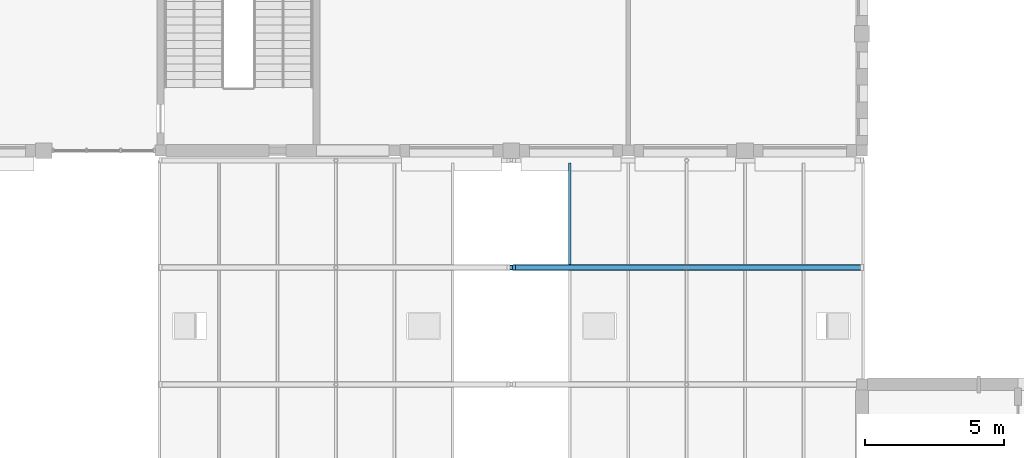
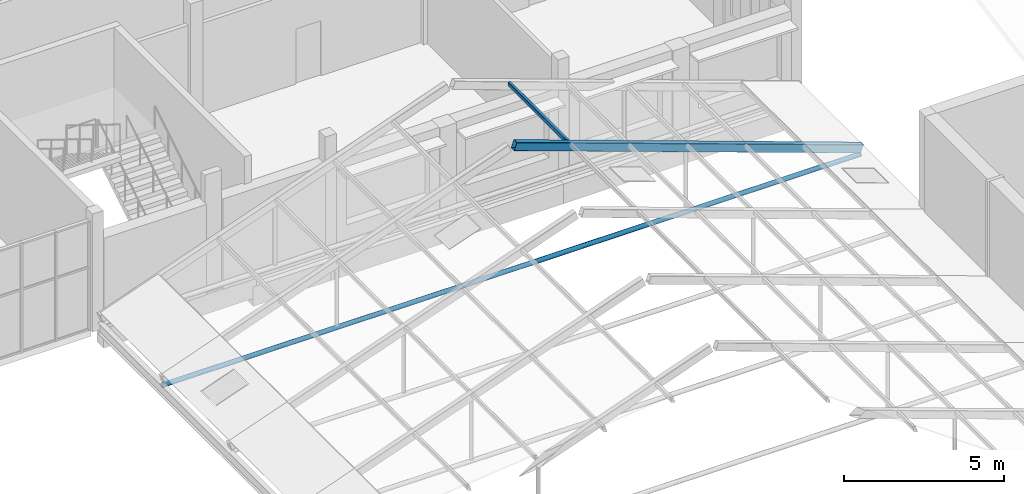
# One storey, part 71 of 116: 3 members.
"""IFC4 building model written with IfcOpenShell, lengths in metres."""

import ifcopenshell
import ifcopenshell.guid

model = None  # the IFC model being written
_history = None  # IfcOwnerHistory: only IFC2X3 demands one
_inside = {}  # id of a spatial element -> (the spatial element, [elements in it])
_under = {}  # id of a project, library or spatial element -> (it, [spatial elements below it])
_declared = {}  # id of a project -> (the project, [libraries it declares])
_typed = {}  # id of a type object -> (the type object, [elements of that type])
_made_of = {}  # id of a material, layer set ... -> (it, [elements and type objects made of it])


def new_model(schema):
    """Start an empty IFC model of exactly this schema.

    Asked for "IFC4X3", IfcOpenShell would pick the latest addendum, in which some entities
    have other attributes; the version numbers below select the first issue.
    IFC2X3 requires an IfcOwnerHistory on every rooted entity: one is made here for all.
    """
    global model, _history
    if schema == "IFC4X3":
        model = ifcopenshell.file(schema_version=(4, 3, 0, 0))
    else:
        model = ifcopenshell.file(schema=schema)
    _inside.clear()
    _under.clear()
    _declared.clear()
    _typed.clear()
    _made_of.clear()
    _history = None
    if model.schema == "IFC2X3":
        org = make("IfcOrganization", Name="unknown")
        user = make(
            "IfcPersonAndOrganization",
            ThePerson=make("IfcPerson", FamilyName="unknown"),
            TheOrganization=org,
        )
        app = make(
            "IfcApplication",
            ApplicationDeveloper=org,
            Version="unknown",
            ApplicationFullName="unknown",
            ApplicationIdentifier="unknown",
        )
        _history = make(
            "IfcOwnerHistory",
            OwningUser=user,
            OwningApplication=app,
            ChangeAction="ADDED",
            CreationDate=0,
        )
    return model


def make(cls, **values):
    """One entity of the class cls with the attributes given. An attribute that is None is left unset."""
    return model.create_entity(
        cls, **{name: value for name, value in values.items() if value is not None}
    )


def rooted(cls, **values):
    """An entity with a GlobalId (a new one), such as an element, a storey or a relation."""
    return make(cls, GlobalId=ifcopenshell.guid.new(), OwnerHistory=_history, **values)


def si_unit(unit_type, name, prefix=None):
    """IfcSIUnit, for example si_unit("LENGTHUNIT", "METRE", prefix="MILLI")."""
    return make("IfcSIUnit", UnitType=unit_type, Prefix=prefix, Name=name)


def assignment(units):
    """IfcUnitAssignment: the units of a project."""
    return None if units is None else make("IfcUnitAssignment", Units=units)


def point(xyz):
    """IfcCartesianPoint."""
    return None if xyz is None else make("IfcCartesianPoint", Coordinates=xyz)


def direction(xyz):
    """IfcDirection."""
    return None if xyz is None else make("IfcDirection", DirectionRatios=xyz)


def frame(location, z_axis=None, x_axis=None):
    """IfcAxis2Placement3D, a coordinate frame: its origin and axes. An axis left out is left unset."""
    return make(
        "IfcAxis2Placement3D",
        Location=point(location),
        Axis=direction(z_axis),
        RefDirection=direction(x_axis),
    )


def frame_2d(location, x_axis=None):
    """IfcAxis2Placement2D, a coordinate frame in the plane: its origin and x axis."""
    return make(
        "IfcAxis2Placement2D", Location=point(location), RefDirection=direction(x_axis)
    )


def origin():
    """The frame at (0, 0, 0) with its axes left unset."""
    return frame((0.0, 0.0, 0.0))


def origin_2d():
    """The frame at (0, 0) in the plane with its x axis left unset."""
    return frame_2d((0.0, 0.0))


def place(relative_to, where):
    """IfcLocalPlacement: puts the frame where relative to a parent placement (None: the world)."""
    return make(
        "IfcLocalPlacement", PlacementRelTo=relative_to, RelativePlacement=where
    )


def context(
    kind, dimensions, precision=None, world=None, true_north=None, identifier=None
):
    """IfcGeometricRepresentationContext, for example the 3D "Model" context."""
    return make(
        "IfcGeometricRepresentationContext",
        ContextIdentifier=identifier,
        ContextType=kind,
        CoordinateSpaceDimension=dimensions,
        Precision=precision,
        WorldCoordinateSystem=world,
        TrueNorth=true_north,
    )


def subcontext(parent, identifier, kind, view, scale=None):
    """IfcGeometricRepresentationSubContext, for example "Body" below "Model"."""
    return make(
        "IfcGeometricRepresentationSubContext",
        ContextIdentifier=identifier,
        ContextType=kind,
        ParentContext=parent,
        TargetScale=scale,
        TargetView=view,
    )


def project(units=None, contexts=None):
    """IfcProject with its units and contexts."""
    return rooted(
        "IfcProject",
        Name="project",
        RepresentationContexts=contexts,
        UnitsInContext=assignment(units),
    )


def spatial(cls, under=None, at=None, **own):
    """A site, building, storey or space (cls), placed at a placement, below another one or the project."""
    s = rooted(cls, ObjectPlacement=at, **own)
    if under is not None:
        _under.setdefault(under.id(), (under, []))[1].append(s)
    return s


def profile(cls, at=None, kind="AREA", **sizes):
    """A parametric profile (cls). Its sizes go by their IFC names, for example OverallWidth=200.0."""
    return make(cls, ProfileType=kind, Position=at, **sizes)


def hollow_rectangle(**sizes):
    """IfcRectangleHollowProfileDef."""
    return profile("IfcRectangleHollowProfileDef", **sizes)


def hollow_circle(**sizes):
    """IfcCircleHollowProfileDef."""
    return profile("IfcCircleHollowProfileDef", **sizes)


def extrude(swept, where, along, depth):
    """IfcExtrudedAreaSolid: the profile swept, set in the frame where, extruded along a direction by depth."""
    return make(
        "IfcExtrudedAreaSolid",
        SweptArea=swept,
        Position=where,
        ExtrudedDirection=direction(along),
        Depth=depth,
    )


def shape(context_of_items, identifier, shape_type, items):
    """IfcShapeRepresentation: the items that make up one representation, for example the "Body"."""
    return make(
        "IfcShapeRepresentation",
        ContextOfItems=context_of_items,
        RepresentationIdentifier=identifier,
        RepresentationType=shape_type,
        Items=items,
    )


def material(Name=None, Category=None):
    """IfcMaterial."""
    return make("IfcMaterial", Name=Name, Category=Category)


def material_profile(
    of_material, cross_section, Name=None, Category=None, Priority=None
):
    """IfcMaterialProfile: a cross section and its material."""
    return make(
        "IfcMaterialProfile",
        Name=Name,
        Material=of_material,
        Profile=cross_section,
        Priority=Priority,
        Category=Category,
    )


def profile_set(profiles, Name=None, composite=None):
    """IfcMaterialProfileSet."""
    return make(
        "IfcMaterialProfileSet",
        Name=Name,
        MaterialProfiles=profiles,
        CompositeProfile=composite,
    )


def made_of(thing, what):
    """Note that an element or type object is made of a material, layer set ...; save() writes the relation."""
    if what is not None:
        _made_of.setdefault(what.id(), (what, []))[1].append(thing)
    return thing


def type_object(cls, material=None, **own):
    """A type object (cls), such as IfcWallType, which elements share."""
    return made_of(rooted(cls, **own), material)


def element(
    cls,
    number,
    at=None,
    inside=None,
    cuts=None,
    type_object=None,
    material=None,
    context=None,
    identifier="Body",
    shape_type=None,
    held_by="IfcProductDefinitionShape",
    body=None,
    shapes=None,
    **own,
):
    """One element of the class cls, such as IfcWall. Its Tag is "e" and its number.

    at: its placement. inside: the storey or other place that contains it. cuts: it is an
    opening in that element (IfcRelVoidsElement). A single representation is given by context,
    identifier, shape_type and body (its items); several are given by shapes. held_by: the class
    of the entity that holds the representations. save() writes the other relations.
    """
    e = rooted(cls, Tag="e%d" % number, ObjectPlacement=at, **own)
    if body is not None:
        shapes = [shape(context, identifier, shape_type, body)]
    if shapes is not None:
        e.Representation = make(held_by, Representations=shapes)
    if inside is not None:
        _inside.setdefault(inside.id(), (inside, []))[1].append(e)
    if cuts is not None:
        rooted(
            "IfcRelVoidsElement", RelatingBuildingElement=cuts, RelatedOpeningElement=e
        )
    if type_object is not None:
        _typed.setdefault(type_object.id(), (type_object, []))[1].append(e)
    return made_of(e, material)


def aggregate(whole, parts):
    """IfcRelAggregates: a whole, such as a stair, and the parts it consists of."""
    return rooted("IfcRelAggregates", RelatingObject=whole, RelatedObjects=parts)


def save(model, path):
    """Write the relations noted so far, then the file.

    IfcRelAggregates (storeys below a building ...), IfcRelContainedInSpatialStructure (elements
    in a storey), IfcRelDefinesByType, IfcRelAssociatesMaterial and IfcRelDeclares: one each for
    every whole, place, type object, material and project.
    """
    for whole, parts in _under.values():
        aggregate(whole, parts)
    for where, things in _inside.values():
        rooted(
            "IfcRelContainedInSpatialStructure",
            RelatedElements=things,
            RelatingStructure=where,
        )
    for kind, things in _typed.values():
        rooted("IfcRelDefinesByType", RelatedObjects=things, RelatingType=kind)
    for what, things in _made_of.values():
        rooted("IfcRelAssociatesMaterial", RelatedObjects=things, RelatingMaterial=what)
    for by, libraries in _declared.values():
        rooted("IfcRelDeclares", RelatingContext=by, RelatedDefinitions=libraries)
    model.write(path)


model = new_model("IFC4")

# Units and contexts
model_context = context("Model", 3, precision=1e-05, world=origin(), true_north=direction((0.0, 1.0)))
body_context = subcontext(model_context, "Body", "Model", "MODEL_VIEW")
ifc_project = project(units=[si_unit("LENGTHUNIT", "METRE"), si_unit("AREAUNIT", "SQUARE_METRE"), si_unit("VOLUMEUNIT", "CUBIC_METRE"), si_unit("PLANEANGLEUNIT", "RADIAN"), si_unit("MASSUNIT", "GRAM", prefix="KILO")], contexts=[model_context])

# Site, building, storey
site_placement = place(None, origin())
site = spatial("IfcSite", under=ifc_project, at=site_placement, CompositionType="ELEMENT")
building_placement = place(site_placement, origin())
building = spatial("IfcBuilding", under=site, at=building_placement, Name="Fescue Hill Polytechnic", CompositionType="ELEMENT")
storey_placement = place(building_placement, frame((0.0, 0.0, 13.5)))
storey = spatial("IfcBuildingStorey", under=building, at=storey_placement, Name="L03", CompositionType="ELEMENT", Elevation=13.5)

# Members
ifc_material = material(Name="Steel 350W (350 MPa)", Category="steel")
ifc_material_profile_1 = material_profile(ifc_material, hollow_rectangle(XDim=0.1015625, YDim=0.15234375, WallThickness=0.00634765625, InnerFilletRadius=0.00634765625, OuterFilletRadius=0.0126953125, at=origin_2d()), Name="Winter garden glazing purlin HSS 152x102x6.4")
ifc_profile_set_1 = profile_set([ifc_material_profile_1], Name="Steel 350W (350 MPa)")
member_type_1 = type_object("IfcMemberType", Name="Winter garden glazing purlin HSS 152x102x6.4", PredefinedType="PURLIN", material=ifc_profile_set_1)
member_1_placement = place(storey_placement, frame((107.100341796875, 105.1015625, 4.414306640625), z_axis=(0.0, 1.0, 0.0), x_axis=(-1.0, 0.0, 0.0)))
element("IfcMember", 1, at=member_1_placement, inside=storey, type_object=member_type_1, Name="Winter garden glazing purlin E5 bay 14", PredefinedType="PURLIN", context=body_context, shape_type="SweptSolid", body=[
    extrude(hollow_rectangle(XDim=0.1015625, YDim=0.15234375, WallThickness=0.00634765625, InnerFilletRadius=0.00634765625, OuterFilletRadius=0.0126953125, at=origin_2d()), origin(), (0.0, 0.0, 1.0), 3.646728515625),
])
ifc_material_profile_2 = material_profile(ifc_material, hollow_rectangle(XDim=0.203125, YDim=0.3046875, WallThickness=0.009521484375, InnerFilletRadius=0.009521484375, OuterFilletRadius=0.01904296875, at=origin_2d()), Name="Winter garden rafter HSS 305x203x9.5")
ifc_profile_set_2 = profile_set([ifc_material_profile_2], Name="Steel 350W (350 MPa)")
member_type_2 = type_object("IfcMemberType", Name="Winter garden rafter HSS 305x203x9.5", PredefinedType="RAFTER", material=ifc_profile_set_2)
member_2_placement = place(storey_placement, frame((117.60009765625, 105.0, 0.578857421875), z_axis=(-0.941740247025, 0.0, 0.336341057756), x_axis=(0.0, -1.0, 0.0)))
element("IfcMember", 2, at=member_2_placement, inside=storey, type_object=member_type_2, Name="Winter garden rafter E14", PredefinedType="RAFTER", context=body_context, shape_type="SweptSolid", body=[
    extrude(hollow_rectangle(XDim=0.203125, YDim=0.3046875, WallThickness=0.009521484375, InnerFilletRadius=0.009521484375, OuterFilletRadius=0.01904296875, at=origin_2d()), origin(), (0.0, 0.0, 1.0), 13.273193359375),
])
ifc_material_profile_3 = material_profile(ifc_material, hollow_circle(Radius=0.084228515625, WallThickness=0.009521484375, at=origin_2d()), Name="Winter garden tie CHS 168x9.5")
ifc_profile_set_3 = profile_set([ifc_material_profile_3], Name="Steel 350W (350 MPa)")
member_type_3 = type_object("IfcMemberType", Name="Winter garden tie CHS 168x9.5", PredefinedType="STRUT", material=ifc_profile_set_3)
member_3_placement = place(storey_placement, frame((92.39990234375, 105.0, 0.332763671875), z_axis=(1.0, 0.0, 0.0), x_axis=(0.0, 1.0, 0.0)))
element("IfcMember", 3, at=member_3_placement, inside=storey, type_object=member_type_3, Name="Winter garden tie 14", PredefinedType="STRUT", context=body_context, shape_type="SweptSolid", body=[
    extrude(hollow_circle(Radius=0.084228515625, WallThickness=0.009521484375, at=origin_2d()), origin(), (0.0, 0.0, 1.0), 25.2001953125),
])

save(model, "model.ifc")
